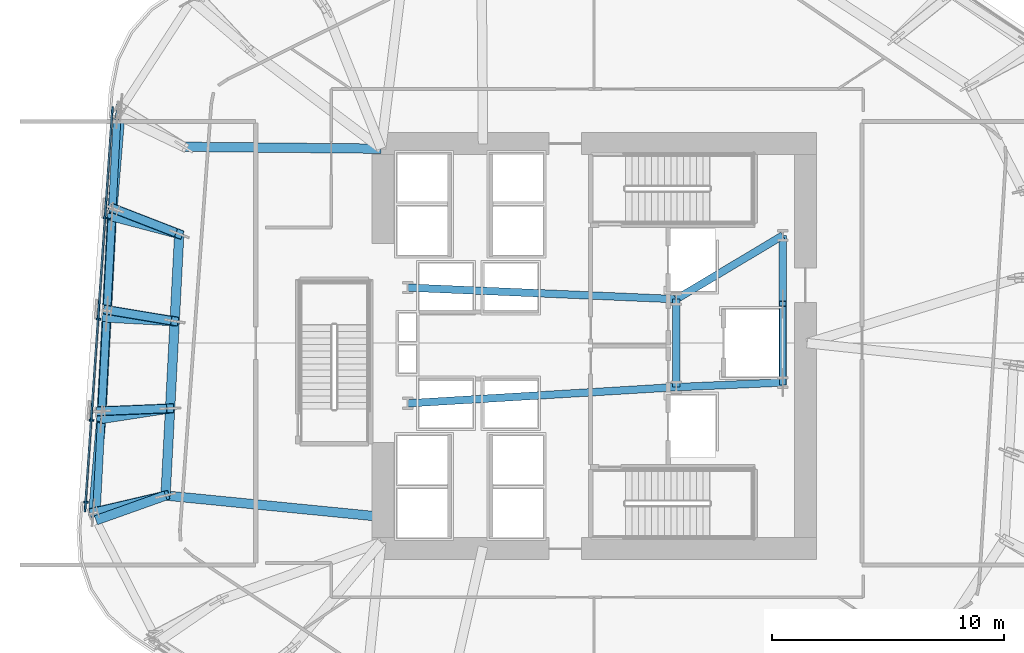
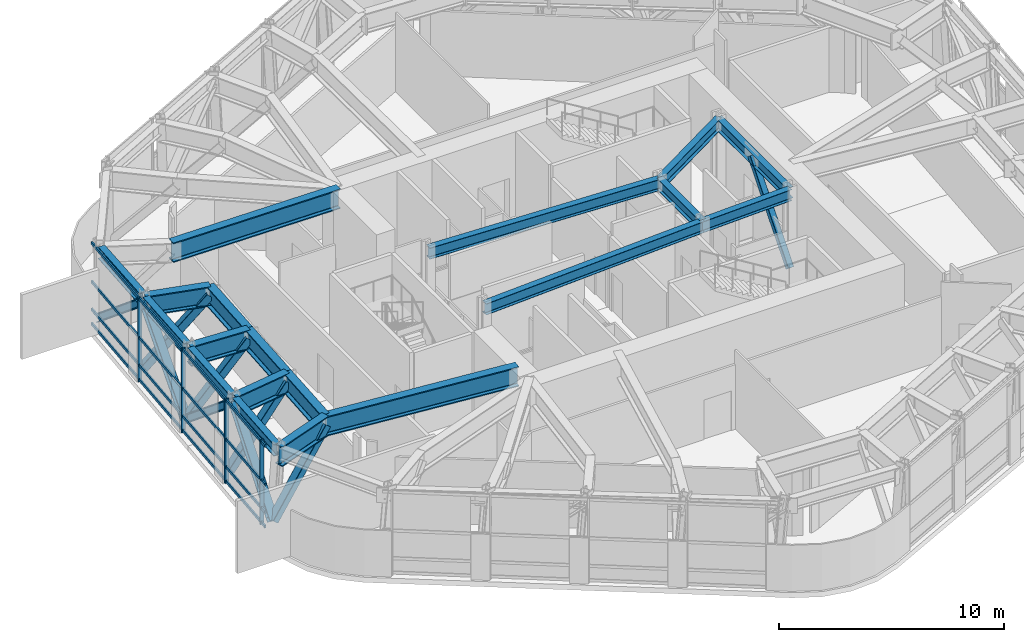
# One storey, part 3 of 14: 19 beams, 17 members, 1 element without a shape of its own.
"""IFC4 building model written with IfcOpenShell, lengths in metres."""

from ifc_helpers import new_model, si_unit, direction, frame, origin, origin_2d, place, context, subcontext, project, spatial, rectangle, hollow_rectangle, i_section, extrude, material, layer, layer_set, material_profile, profile_set, type_object, element, aggregate, save


model = new_model("IFC4")

# Units and contexts
model_context = context("Model", 3, precision=1e-05, world=origin(), true_north=direction((0.0, 1.0)))
body_context = subcontext(model_context, "Body", "Model", "MODEL_VIEW")
ifc_project = project(units=[si_unit("LENGTHUNIT", "METRE"), si_unit("AREAUNIT", "SQUARE_METRE"), si_unit("VOLUMEUNIT", "CUBIC_METRE"), si_unit("PLANEANGLEUNIT", "RADIAN"), si_unit("MASSUNIT", "GRAM", prefix="KILO")], contexts=[model_context])

# Site, building, storey
site_placement = place(None, origin())
site = spatial("IfcSite", under=ifc_project, at=site_placement, CompositionType="ELEMENT")
building_placement = place(site_placement, origin())
building = spatial("IfcBuilding", under=site, at=building_placement, Name="Valkerne Bourse Tower", CompositionType="ELEMENT")
storey_placement = place(building_placement, frame((0.0, 0.0, 135.199951171875)))
storey = spatial("IfcBuildingStorey", under=building, at=storey_placement, Name="L34", CompositionType="ELEMENT", Elevation=135.199951171875)

# Beams
ifc_material_1 = material(Name="Steel ASTM A992", Category="steel")
ifc_material_profile_1 = material_profile(ifc_material_1, i_section(OverallWidth=0.3251953125, OverallDepth=0.612060546875, WebThickness=0.0126953125, FlangeThickness=0.01904296875, FilletRadius=0.020263671875, at=origin_2d()), Name="W24X104")
ifc_profile_set_1 = profile_set([ifc_material_profile_1], Name="Steel ASTM A992")
beam_type_1 = type_object("IfcBeamType", Name="BM-W24X104", PredefinedType="BEAM", material=ifc_profile_set_1)
beam_1_placement = place(storey_placement, frame((50.35009765625, 25.10009765625, 4.274169921875), z_axis=(0.0, 1.0, 0.0), x_axis=(-1.0, 0.0, 0.0)))
element("IfcBeam", 1, at=beam_1_placement, inside=storey, type_object=beam_type_1, Name="L34 Core Frame Girder CG-CE", PredefinedType="BEAM", context=body_context, shape_type="SweptSolid", body=[
    extrude(i_section(OverallWidth=0.3251953125, OverallDepth=0.612060546875, WebThickness=0.0126953125, FlangeThickness=0.01904296875, FilletRadius=0.020263671875, at=origin_2d()), origin(), (0.0, 0.0, 1.0), 3.7998046875),
])
beam_2_placement = place(storey_placement, frame((50.35009765625, 25.10009765625, 4.274169921875), z_axis=(0.999056558506, 0.043428019819, 0.0), x_axis=(-0.043428019819, 0.999056558506, 0.0)))
element("IfcBeam", 2, at=beam_2_placement, inside=storey, type_object=beam_type_1, Name="L34 Core Frame Girder CG-SE", PredefinedType="BEAM", context=body_context, shape_type="SweptSolid", body=[
    extrude(i_section(OverallWidth=0.3251953125, OverallDepth=0.612060546875, WebThickness=0.0126953125, FlangeThickness=0.01904296875, FilletRadius=0.020263671875, at=origin_2d()), origin(), (0.0, 0.0, 1.0), 4.604248046875),
])
beam_3_placement = place(storey_placement, frame((50.35009765625, 28.89990234375, 4.274169921875), z_axis=(0.858307823492, 0.513135148019, 0.0), x_axis=(-0.513135148019, 0.858307823492, 0.0)))
element("IfcBeam", 3, at=beam_3_placement, inside=storey, type_object=beam_type_1, Name="L34 Core Frame Girder CG-NE", PredefinedType="BEAM", context=body_context, shape_type="SweptSolid", body=[
    extrude(i_section(OverallWidth=0.3251953125, OverallDepth=0.612060546875, WebThickness=0.0126953125, FlangeThickness=0.01904296875, FilletRadius=0.020263671875, at=origin_2d()), origin(), (0.0, 0.0, 1.0), 5.359130859375),
])
beam_4_placement = place(storey_placement, frame((54.949951171875, 25.300048828125, 4.274169921875), z_axis=(0.0, 1.0, 0.0), x_axis=(-1.0, 0.0, 0.0)))
element("IfcBeam", 4, at=beam_4_placement, inside=storey, type_object=beam_type_1, Name="L34 Core Frame Girder CG-EE", PredefinedType="BEAM", context=body_context, shape_type="SweptSolid", body=[
    extrude(i_section(OverallWidth=0.3251953125, OverallDepth=0.612060546875, WebThickness=0.0126953125, FlangeThickness=0.01904296875, FilletRadius=0.020263671875, at=origin_2d()), origin(), (0.0, 0.0, 1.0), 6.349853515625),
])
beam_5_placement = place(storey_placement, frame((38.75, 24.39990234375, 4.274169921875), z_axis=(0.998183228389, 0.060251494276, 0.0), x_axis=(-0.060251494276, 0.998183228389, 0.0)))
element("IfcBeam", 5, at=beam_5_placement, inside=storey, type_object=beam_type_1, Name="L34 Core Frame Girder CG-SW", PredefinedType="BEAM", context=body_context, shape_type="SweptSolid", body=[
    extrude(i_section(OverallWidth=0.3251953125, OverallDepth=0.612060546875, WebThickness=0.0126953125, FlangeThickness=0.01904296875, FilletRadius=0.020263671875, at=origin_2d()), origin(), (0.0, 0.0, 1.0), 11.62109375),
])
beam_6_placement = place(storey_placement, frame((38.75, 29.39990234375, 4.274169921875), z_axis=(0.999072354402, -0.043063101019, 0.0), x_axis=(0.043063101019, 0.999072354402, 0.0)))
element("IfcBeam", 6, at=beam_6_placement, inside=storey, type_object=beam_type_1, Name="L34 Core Frame Girder CG-NW", PredefinedType="BEAM", context=body_context, shape_type="SweptSolid", body=[
    extrude(i_section(OverallWidth=0.3251953125, OverallDepth=0.612060546875, WebThickness=0.0126953125, FlangeThickness=0.01904296875, FilletRadius=0.020263671875, at=origin_2d()), origin(), (0.0, 0.0, 1.0), 11.61083984375),
])
ifc_material_profile_2 = material_profile(ifc_material_1, i_section(OverallWidth=0.330078125, OverallDepth=0.647705078125, WebThickness=0.0205078125, FlangeThickness=0.037109375, FilletRadius=0.020263671875, at=origin_2d()), Name="W24X192")
ifc_profile_set_2 = profile_set([ifc_material_profile_2], Name="Steel ASTM A992")
beam_type_2 = type_object("IfcBeamType", Name="BM-W24X192", PredefinedType="SPANDREL", material=ifc_profile_set_2)
for number, where, z_axis, x_axis, name in (
    (7, (26.191162109375, 36.687744140625, 4.25634765625), (-0.052355983339, -0.998628484978, 0.0), (0.998628484978, -0.052355983339, 0.0), "L34 Hexagonal Spandrel Ring Beam 10"),
    (8, (25.961669921875, 32.310791015625, 4.25634765625), (-0.052355983339, -0.998628484978, 0.0), (0.998628484978, -0.052355983339, 0.0), "L34 Hexagonal Spandrel Ring Beam 11"),
    (9, (25.732421875, 27.933837890625, 4.25634765625), (-0.052355983339, -0.998628484978, 0.0), (0.998628484978, -0.052355983339, 0.0), "L34 Hexagonal Spandrel Ring Beam 12"),
    (10, (25.5029296875, 23.556884765625, 4.25634765625), (-0.052355983339, -0.998628484978, 0.0), (0.998628484978, -0.052355983339, 0.0), "L34 Hexagonal Spandrel Ring Beam 13"),
):
    element("IfcBeam", number, at=place(storey_placement, frame(where, z_axis=z_axis, x_axis=x_axis)), inside=storey, type_object=beam_type_2, Name=name, PredefinedType="SPANDREL", context=body_context, shape_type="SweptSolid", body=[
        extrude(i_section(OverallWidth=0.330078125, OverallDepth=0.647705078125, WebThickness=0.0205078125, FlangeThickness=0.037109375, FilletRadius=0.020263671875, at=origin_2d()), origin(), (0.0, 0.0, 1.0), 4.04296875),
    ])
ifc_material_2 = material(Name="Steel ASTM A913 Grade 65", Category="steel")
ifc_material_profile_3 = material_profile(ifc_material_2, i_section(OverallWidth=0.408935546875, OverallDepth=1.06689453125, WebThickness=0.031005859375, FlangeThickness=0.055908203125, FilletRadius=0.030517578125, at=origin_2d()), Name="W40X397")
ifc_profile_set_3 = profile_set([ifc_material_profile_3], Name="Steel ASTM A913 Grade 65")
beam_type_3 = type_object("IfcBeamType", Name="BM-W40X397", PredefinedType="BEAM", material=ifc_profile_set_3)
beam_7_placement = place(storey_placement, frame((29.076416015625, 35.481201171875, 4.046630859375), z_axis=(0.999954516434, -0.009537560621, 0.0), x_axis=(0.009537560621, 0.999954516434, 0.0)))
element("IfcBeam", 11, at=beam_7_placement, inside=storey, type_object=beam_type_3, Name="L34 Radial Setback Transfer Girder In 10", PredefinedType="BEAM", context=body_context, shape_type="SweptSolid", body=[
    extrude(i_section(OverallWidth=0.408935546875, OverallDepth=1.06689453125, WebThickness=0.031005859375, FlangeThickness=0.055908203125, FilletRadius=0.030517578125, at=origin_2d()), origin(), (0.0, 0.0, 1.0), 8.524169921875),
])
beam_8_placement = place(storey_placement, frame((25.970703125, 32.480712890625, 4.046630859375), z_axis=(0.967069278995, -0.254513279856, 0.0), x_axis=(0.254513279856, 0.967069278995, 0.0)))
element("IfcBeam", 12, at=beam_8_placement, inside=storey, type_object=beam_type_3, Name="L34 Radial Setback Transfer Girder Out 11", PredefinedType="BEAM", context=body_context, shape_type="SweptSolid", body=[
    extrude(i_section(OverallWidth=0.408935546875, OverallDepth=1.06689453125, WebThickness=0.031005859375, FlangeThickness=0.055908203125, FilletRadius=0.030517578125, at=origin_2d()), origin(), (0.0, 0.0, 1.0), 3.00732421875),
])
beam_9_placement = place(storey_placement, frame((28.87890625, 31.71533203125, 4.046630859375), z_axis=(-0.052310776666, -0.998630854042, 0.0), x_axis=(0.998630854042, -0.052310776666, 0.0)))
element("IfcBeam", 13, at=beam_9_placement, inside=storey, type_object=beam_type_3, Name="L34 Setback Ring Transfer Girder 11", PredefinedType="BEAM", context=body_context, shape_type="SweptSolid", body=[
    extrude(i_section(OverallWidth=0.408935546875, OverallDepth=1.06689453125, WebThickness=0.031005859375, FlangeThickness=0.055908203125, FilletRadius=0.030517578125, at=origin_2d()), origin(), (0.0, 0.0, 1.0), 3.77099609375),
])
beam_10_placement = place(storey_placement, frame((25.7412109375, 28.103515625, 4.046630859375), z_axis=(0.998630398257, -0.052319477026, 0.0), x_axis=(0.052319477026, 0.998630398257, 0.0)))
element("IfcBeam", 14, at=beam_10_placement, inside=storey, type_object=beam_type_3, Name="L34 Radial Setback Transfer Girder Out 12", PredefinedType="BEAM", context=body_context, shape_type="SweptSolid", body=[
    extrude(i_section(OverallWidth=0.408935546875, OverallDepth=1.06689453125, WebThickness=0.031005859375, FlangeThickness=0.055908203125, FilletRadius=0.030517578125, at=origin_2d()), origin(), (0.0, 0.0, 1.0), 2.944580078125),
])
beam_11_placement = place(storey_placement, frame((28.681640625, 27.949462890625, 4.046630859375), z_axis=(-0.052310776666, -0.998630854042, 0.0), x_axis=(0.998630854042, -0.052310776666, 0.0)))
element("IfcBeam", 15, at=beam_11_placement, inside=storey, type_object=beam_type_3, Name="L34 Setback Ring Transfer Girder 12", PredefinedType="BEAM", context=body_context, shape_type="SweptSolid", body=[
    extrude(i_section(OverallWidth=0.408935546875, OverallDepth=1.06689453125, WebThickness=0.031005859375, FlangeThickness=0.055908203125, FilletRadius=0.030517578125, at=origin_2d()), origin(), (0.0, 0.0, 1.0), 3.77099609375),
])
beam_12_placement = place(storey_placement, frame((25.51171875, 23.726806640625, 4.046630859375), z_axis=(0.988398896893, 0.151880283844, 0.0), x_axis=(-0.151880283844, 0.988398896893, 0.0)))
element("IfcBeam", 16, at=beam_12_placement, inside=storey, type_object=beam_type_3, Name="L34 Radial Setback Transfer Girder Out 13", PredefinedType="BEAM", context=body_context, shape_type="SweptSolid", body=[
    extrude(i_section(OverallWidth=0.408935546875, OverallDepth=1.06689453125, WebThickness=0.031005859375, FlangeThickness=0.055908203125, FilletRadius=0.030517578125, at=origin_2d()), origin(), (0.0, 0.0, 1.0), 3.007568359375),
])
beam_13_placement = place(storey_placement, frame((28.484375, 24.18359375, 4.046630859375), z_axis=(-0.052378726627, -0.998627292335, 0.0), x_axis=(0.998627292335, -0.052378726627, 0.0)))
element("IfcBeam", 17, at=beam_13_placement, inside=storey, type_object=beam_type_3, Name="L34 Setback Ring Transfer Girder 13", PredefinedType="BEAM", context=body_context, shape_type="SweptSolid", body=[
    extrude(i_section(OverallWidth=0.408935546875, OverallDepth=1.06689453125, WebThickness=0.031005859375, FlangeThickness=0.055908203125, FilletRadius=0.030517578125, at=origin_2d()), origin(), (0.0, 0.0, 1.0), 3.770751953125),
])
beam_14_placement = place(storey_placement, frame((25.282470703125, 19.349609375, 4.046630859375), z_axis=(0.942201800174, 0.335045918866, 0.0), x_axis=(-0.335045918866, 0.942201800174, 0.0)))
element("IfcBeam", 18, at=beam_14_placement, inside=storey, type_object=beam_type_3, Name="L34 Radial Setback Transfer Girder Out 14", PredefinedType="BEAM", context=body_context, shape_type="SweptSolid", body=[
    extrude(i_section(OverallWidth=0.408935546875, OverallDepth=1.06689453125, WebThickness=0.031005859375, FlangeThickness=0.055908203125, FilletRadius=0.030517578125, at=origin_2d()), origin(), (0.0, 0.0, 1.0), 3.188720703125),
])
beam_15_placement = place(storey_placement, frame((28.286865234375, 20.41796875, 4.046630859375), z_axis=(0.99517747538, -0.098090736032, 0.0), x_axis=(0.098090736032, 0.99517747538, 0.0)))
element("IfcBeam", 19, at=beam_15_placement, inside=storey, type_object=beam_type_3, Name="L34 Radial Setback Transfer Girder In 14", PredefinedType="BEAM", context=body_context, shape_type="SweptSolid", body=[
    extrude(i_section(OverallWidth=0.408935546875, OverallDepth=1.06689453125, WebThickness=0.031005859375, FlangeThickness=0.055908203125, FilletRadius=0.030517578125, at=origin_2d()), origin(), (0.0, 0.0, 1.0), 9.3583984375),
])

# Curtain wall, members
ifc_material_3 = material(Name="Aluminium AA 6063-T6", Category="aluminium")
ifc_layer = layer(ifc_material_3, 0.25)
ifc_layer_set = layer_set([ifc_layer], Name="Aluminium AA 6063-T6")
curtain_wall_type = type_object("IfcCurtainWallType", Name="CW-06", PredefinedType="NOTDEFINED", material=ifc_layer_set)
curtain_wall_placement = place(storey_placement, origin())
curtain_wall = element("IfcCurtainWall", 20, at=curtain_wall_placement, inside=storey, type_object=curtain_wall_type, Name="L34 Hexagonal Stick Curtain Wall Face 3", PredefinedType="NOTDEFINED")
ifc_material_profile_4 = material_profile(ifc_material_3, rectangle(XDim=0.074951171875, YDim=0.199951171875, at=origin_2d()), Name="CWM-75X200")
ifc_profile_set_4 = profile_set([ifc_material_profile_4], Name="Aluminium AA 6063-T6")
member_type_1 = type_object("IfcMemberType", Name="CW-MUL-220X75", PredefinedType="MULLION", material=ifc_profile_set_4)
member_1_placement = place(storey_placement, frame((25.69140625, 32.4111328125, 0.0), z_axis=(0.0, 0.0, 1.0), x_axis=(-0.068013565363, -0.997684396453, 0.0)))
member_1 = element("IfcMember", 21, at=member_1_placement, type_object=member_type_1, Name="CW-L34-F3 Jamb Mullion 01A", PredefinedType="MULLION", context=body_context, shape_type="SweptSolid", body=[
    extrude(rectangle(XDim=0.074951171875, YDim=0.199951171875, at=origin_2d()), origin(), (0.0, 0.0, 1.0), 4.580078125),
])
member_2_placement = place(storey_placement, frame((25.393310546875, 28.038330078125, 0.0), z_axis=(0.0, 0.0, 1.0), x_axis=(-0.068012017201, -0.997684501993, 0.0)))
member_2 = element("IfcMember", 22, at=member_2_placement, type_object=member_type_1, Name="CW-L34-F3 Jamb Mullion 02A", PredefinedType="MULLION", context=body_context, shape_type="SweptSolid", body=[
    extrude(rectangle(XDim=0.074951171875, YDim=0.199951171875, at=origin_2d()), origin(), (0.0, 0.0, 1.0), 4.580078125),
])
member_3_placement = place(storey_placement, frame((25.09521484375, 23.66552734375, 0.0), z_axis=(0.0, 0.0, 1.0), x_axis=(-0.068013565363, -0.997684396453, 0.0)))
member_3 = element("IfcMember", 23, at=member_3_placement, type_object=member_type_1, Name="CW-L34-F3 Jamb Mullion 03A", PredefinedType="MULLION", context=body_context, shape_type="SweptSolid", body=[
    extrude(rectangle(XDim=0.074951171875, YDim=0.199951171875, at=origin_2d()), origin(), (0.0, 0.0, 1.0), 4.580078125),
])
member_4_placement = place(storey_placement, frame((24.854248046875, 20.130859375, 0.0), z_axis=(0.0, 0.0, 1.0), x_axis=(-0.068013565363, -0.997684396453, 0.0)))
member_4 = element("IfcMember", 24, at=member_4_placement, type_object=member_type_1, Name="CW-L34-F3 Jamb Mullion 03B", PredefinedType="MULLION", context=body_context, shape_type="SweptSolid", body=[
    extrude(rectangle(XDim=0.074951171875, YDim=0.199951171875, at=origin_2d()), origin(), (0.0, 0.0, 1.0), 4.580078125),
])
ifc_material_profile_5 = material_profile(ifc_material_3, rectangle(XDim=0.074951171875, YDim=0.14990234375, at=origin_2d()), Name="CWT-75X150")
ifc_profile_set_5 = profile_set([ifc_material_profile_5], Name="Aluminium AA 6063-T6")
member_type_2 = type_object("IfcMemberType", Name="CW-TRN-180X65", PredefinedType="USERDEFINED", material=ifc_profile_set_5)
member_5_placement = place(storey_placement, frame((25.998046875, 37.20458984375, 0.1201171875), z_axis=(-0.068011602287, -0.997684530277, 0.0), x_axis=(0.997684530277, -0.068011602287, 0.0)))
member_5 = element("IfcMember", 25, at=member_5_placement, type_object=member_type_2, Name="CW-L34-F3 Continuous Face Transom 1", ObjectType="TRANSOM", PredefinedType="USERDEFINED", context=body_context, shape_type="SweptSolid", body=[
    extrude(rectangle(XDim=0.074951171875, YDim=0.14990234375, at=origin_2d()), origin(), (0.0, 0.0, 1.0), 17.531982421875),
])
member_6_placement = place(storey_placement, frame((25.998046875, 37.20458984375, 0.900146484375), z_axis=(-0.068011602287, -0.997684530277, 0.0), x_axis=(0.997684530277, -0.068011602287, 0.0)))
member_6 = element("IfcMember", 26, at=member_6_placement, type_object=member_type_2, Name="CW-L34-F3 Continuous Face Transom 2", ObjectType="TRANSOM", PredefinedType="USERDEFINED", context=body_context, shape_type="SweptSolid", body=[
    extrude(rectangle(XDim=0.074951171875, YDim=0.14990234375, at=origin_2d()), origin(), (0.0, 0.0, 1.0), 17.531982421875),
])
member_7_placement = place(storey_placement, frame((25.998046875, 37.20458984375, 2.400146484375), z_axis=(-0.068011602287, -0.997684530277, 0.0), x_axis=(0.997684530277, -0.068011602287, 0.0)))
member_7 = element("IfcMember", 27, at=member_7_placement, type_object=member_type_2, Name="CW-L34-F3 Continuous Face Transom 3", ObjectType="TRANSOM", PredefinedType="USERDEFINED", context=body_context, shape_type="SweptSolid", body=[
    extrude(rectangle(XDim=0.074951171875, YDim=0.14990234375, at=origin_2d()), origin(), (0.0, 0.0, 1.0), 17.531982421875),
])
member_8_placement = place(storey_placement, frame((25.998046875, 37.20458984375, 4.5), z_axis=(-0.068011602287, -0.997684530277, 0.0), x_axis=(0.997684530277, -0.068011602287, 0.0)))
member_8 = element("IfcMember", 28, at=member_8_placement, type_object=member_type_2, Name="CW-L34-F3 Continuous Face Transom 4", ObjectType="TRANSOM", PredefinedType="USERDEFINED", context=body_context, shape_type="SweptSolid", body=[
    extrude(rectangle(XDim=0.074951171875, YDim=0.14990234375, at=origin_2d()), origin(), (0.0, 0.0, 1.0), 17.531982421875),
])
aggregate(curtain_wall, [member_5, member_6, member_7, member_8, member_1, member_2, member_3, member_4])

# Members
ifc_material_4 = material(Name="Steel ASTM A500 Grade C", Category="steel")
ifc_material_profile_6 = material_profile(ifc_material_4, hollow_rectangle(XDim=0.300048828125, YDim=0.300048828125, WallThickness=0.012451171875, OuterFilletRadius=0.02490234375, at=origin_2d()), Name="HSS300X300X12.5")
ifc_profile_set_6 = profile_set([ifc_material_profile_6], Name="Steel ASTM A500 Grade C")
member_type_3 = type_object("IfcMemberType", Name="MBR-HSS300X300X12.5", PredefinedType="STRUT", material=ifc_profile_set_6)
member_9_placement = place(storey_placement, frame((54.949951171875, 25.300048828125, 0.219970703125), z_axis=(0.0, 0.642568571529, 0.766228184605), x_axis=(-1.0, 0.0, 0.0)))
element("IfcMember", 29, at=member_9_placement, inside=storey, type_object=member_type_3, Name="L34 Core Service Pier Lateral Brace", PredefinedType="STRUT", context=body_context, shape_type="SweptSolid", body=[
    extrude(hollow_rectangle(XDim=0.300048828125, YDim=0.300048828125, WallThickness=0.012451171875, OuterFilletRadius=0.02490234375, at=origin_2d()), origin(), (0.0, 0.0, 1.0), 5.291015625),
])
ifc_material_profile_7 = material_profile(ifc_material_4, hollow_rectangle(XDim=0.39990234375, YDim=0.39990234375, WallThickness=0.01611328125, OuterFilletRadius=0.031982421875, at=origin_2d()), Name="HSS400X400X16")
ifc_profile_set_7 = profile_set([ifc_material_profile_7], Name="Steel ASTM A500 Grade C")
member_type_4 = type_object("IfcMemberType", Name="MBR-HSS400X400X16", PredefinedType="BRACE", material=ifc_profile_set_7)
member_10_placement = place(storey_placement, frame((26.05908203125, 32.80712890625, 0.35009765625), z_axis=(0.590446379961, -0.228612658977, 0.774021527185), x_axis=(0.361066584256, 0.932540037603, 0.0)))
element("IfcMember", 30, at=member_10_placement, inside=storey, type_object=member_type_4, Name="L34 Setback Outrigger Knee Strut 11", PredefinedType="BRACE", context=body_context, shape_type="SweptSolid", body=[
    extrude(hollow_rectangle(XDim=0.39990234375, YDim=0.39990234375, WallThickness=0.01611328125, OuterFilletRadius=0.031982421875, at=origin_2d()), origin(), (0.0, 0.0, 1.0), 4.775634765625),
])
member_11_placement = place(storey_placement, frame((25.760986328125, 28.434326171875, 0.35009765625), z_axis=(0.616692542767, -0.102378282198, 0.78051841428), x_axis=(0.163770456225, 0.986498473221, 0.0)))
element("IfcMember", 31, at=member_11_placement, inside=storey, type_object=member_type_4, Name="L34 Setback Outrigger Knee Strut 12", PredefinedType="BRACE", context=body_context, shape_type="SweptSolid", body=[
    extrude(hollow_rectangle(XDim=0.39990234375, YDim=0.39990234375, WallThickness=0.01611328125, OuterFilletRadius=0.031982421875, at=origin_2d()), origin(), (0.0, 0.0, 1.0), 4.736083984375),
])
member_12_placement = place(storey_placement, frame((25.462890625, 24.061279296875, 0.35009765625), z_axis=(0.632659765335, 0.025611065161, 0.77400626268), x_axis=(-0.040448448202, 0.999181626652, 0.0)))
element("IfcMember", 32, at=member_12_placement, inside=storey, type_object=member_type_4, Name="L34 Setback Outrigger Knee Strut 13", PredefinedType="BRACE", context=body_context, shape_type="SweptSolid", body=[
    extrude(hollow_rectangle(XDim=0.39990234375, YDim=0.39990234375, WallThickness=0.01611328125, OuterFilletRadius=0.031982421875, at=origin_2d()), origin(), (0.0, 0.0, 1.0), 4.77587890625),
])
member_13_placement = place(storey_placement, frame((25.164794921875, 19.688720703125, 0.35009765625), z_axis=(0.638041624548, 0.149032712897, 0.755441682614), x_axis=(-0.227455888789, 0.973788384946, 0.0)))
element("IfcMember", 33, at=member_13_placement, inside=storey, type_object=member_type_4, Name="L34 Setback Outrigger Knee Strut 14", PredefinedType="BRACE", context=body_context, shape_type="SweptSolid", body=[
    extrude(hollow_rectangle(XDim=0.39990234375, YDim=0.39990234375, WallThickness=0.01611328125, OuterFilletRadius=0.031982421875, at=origin_2d()), origin(), (0.0, 0.0, 1.0), 4.893310546875),
])
ifc_material_profile_8 = material_profile(ifc_material_2, i_section(OverallWidth=0.40380859375, OverallDepth=0.406494140625, WebThickness=0.027099609375, FlangeThickness=0.043701171875, FilletRadius=0.025390625, at=origin_2d()), Name="W14X233")
ifc_profile_set_8 = profile_set([ifc_material_profile_8], Name="Steel ASTM A913 Grade 65")
member_type_5 = type_object("IfcMemberType", Name="MBR-W14X233", PredefinedType="BRACE", material=ifc_profile_set_8)
member_14_placement = place(storey_placement, frame((26.357421875, 37.179931640625, 0.35009765625), z_axis=(-0.063332128647, -0.769581320833, 0.635400371503), x_axis=(0.996630929785, -0.082017009184, 0.0)))
element("IfcMember", 34, at=member_14_placement, inside=storey, type_object=member_type_5, Name="L34 Perimeter Belt Truss Diagonal 10", PredefinedType="BRACE", context=body_context, shape_type="SweptSolid", body=[
    extrude(i_section(OverallWidth=0.40380859375, OverallDepth=0.406494140625, WebThickness=0.027099609375, FlangeThickness=0.043701171875, FilletRadius=0.025390625, at=origin_2d()), origin(), (0.0, 0.0, 1.0), 6.106201171875),
])
member_15_placement = place(storey_placement, frame((25.760986328125, 28.434326171875, 0.35009765625), z_axis=(0.037383494484, 0.721296900551, 0.691616407841), x_axis=(-0.998659620428, 0.051758695182, 0.0)))
element("IfcMember", 35, at=member_15_placement, inside=storey, type_object=member_type_5, Name="L34 Perimeter Belt Truss Diagonal 11", PredefinedType="BRACE", context=body_context, shape_type="SweptSolid", body=[
    extrude(i_section(OverallWidth=0.40380859375, OverallDepth=0.406494140625, WebThickness=0.027099609375, FlangeThickness=0.043701171875, FilletRadius=0.025390625, at=origin_2d()), origin(), (0.0, 0.0, 1.0), 5.60986328125),
])
member_16_placement = place(storey_placement, frame((25.760986328125, 28.434326171875, 0.35009765625), z_axis=(-0.040827145425, -0.771037236125, 0.635479916839), x_axis=(0.998601040164, -0.052876862463, 0.0)))
element("IfcMember", 36, at=member_16_placement, inside=storey, type_object=member_type_5, Name="L34 Perimeter Belt Truss Diagonal 12", PredefinedType="BRACE", context=body_context, shape_type="SweptSolid", body=[
    extrude(i_section(OverallWidth=0.40380859375, OverallDepth=0.406494140625, WebThickness=0.027099609375, FlangeThickness=0.043701171875, FilletRadius=0.025390625, at=origin_2d()), origin(), (0.0, 0.0, 1.0), 6.10546875),
])
member_17_placement = place(storey_placement, frame((25.164794921875, 19.688720703125, 0.35009765625), z_axis=(0.061832509491, 0.719711264587, 0.691514595939), x_axis=(-0.996329788526, 0.085597619679, 0.0)))
element("IfcMember", 37, at=member_17_placement, inside=storey, type_object=member_type_5, Name="L34 Perimeter Belt Truss Diagonal 13", PredefinedType="BRACE", context=body_context, shape_type="SweptSolid", body=[
    extrude(i_section(OverallWidth=0.40380859375, OverallDepth=0.406494140625, WebThickness=0.027099609375, FlangeThickness=0.043701171875, FilletRadius=0.025390625, at=origin_2d()), origin(), (0.0, 0.0, 1.0), 5.610595703125),
])

save(model, "model.ifc")
